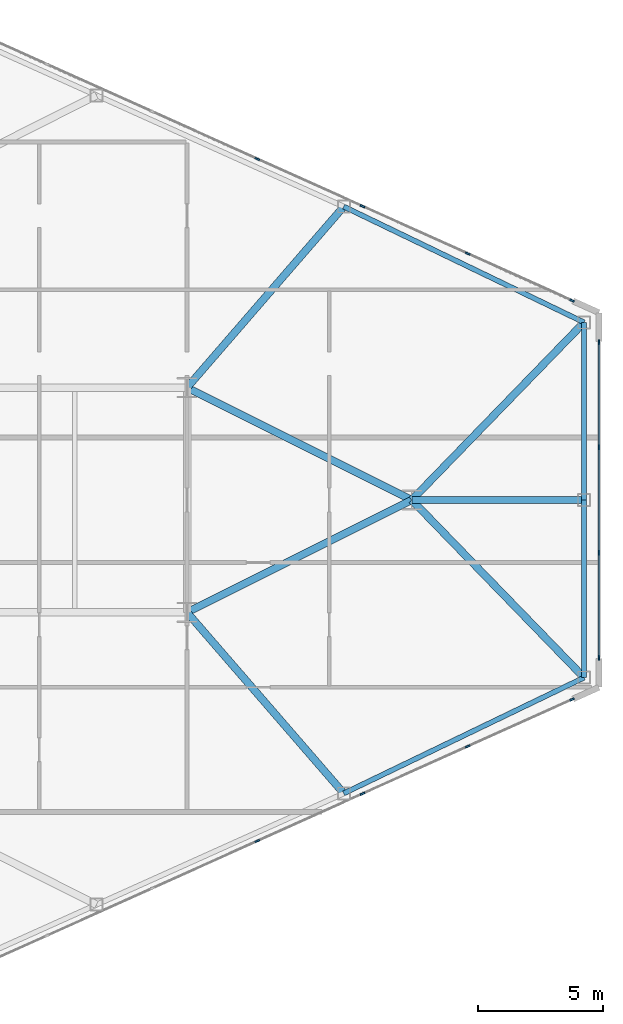
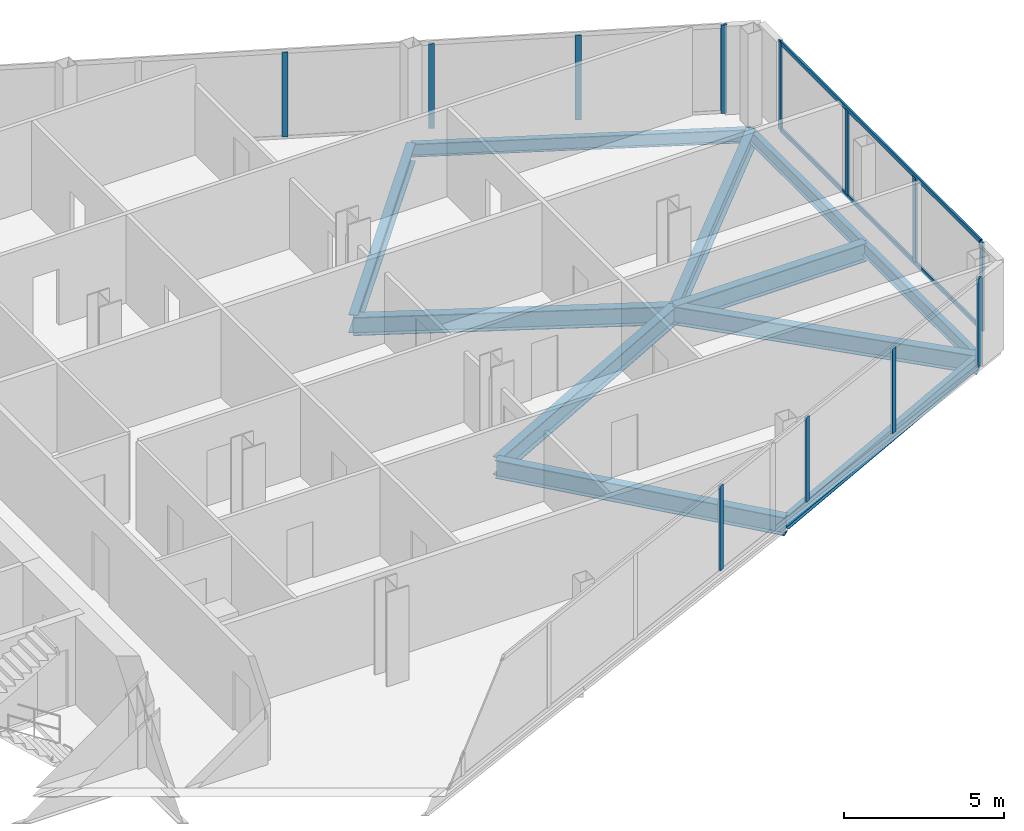
# One storey, part 16 of 27: 14 members, 11 beams, 3 elements without a shape of their own.
"""IFC4 building model written with IfcOpenShell, lengths in metres."""

from ifc_helpers import new_model, si_unit, direction, frame, origin, origin_2d, place, context, subcontext, project, spatial, rectangle, i_section, extrude, source, transform, mapped, material, layer, layer_set, material_profile, profile_set, type_object, type_shapes, element, aggregate, save


model = new_model("IFC4")

# Units and contexts
model_context = context("Model", 3, precision=1e-05, world=origin(), true_north=direction((0.0, 1.0)))
body_context = subcontext(model_context, "Body", "Model", "MODEL_VIEW")
ifc_project = project(units=[si_unit("LENGTHUNIT", "METRE"), si_unit("AREAUNIT", "SQUARE_METRE"), si_unit("VOLUMEUNIT", "CUBIC_METRE"), si_unit("PLANEANGLEUNIT", "RADIAN"), si_unit("MASSUNIT", "GRAM", prefix="KILO")], contexts=[model_context])

# Site, building, storey
site_placement = place(None, origin())
site = spatial("IfcSite", under=ifc_project, at=site_placement, CompositionType="ELEMENT")
building_placement = place(site_placement, origin())
building = spatial("IfcBuilding", under=site, at=building_placement, Name="Seokmaru Belvedere", CompositionType="ELEMENT")
storey_placement = place(building_placement, frame((0.0, 0.0, 92.39990234375)))
storey = spatial("IfcBuildingStorey", under=building, at=storey_placement, Name="L24", CompositionType="ELEMENT", Elevation=92.39990234375)

# Beams
ifc_material_1 = material(Name="Steel SM355 (355 MPa)", Category="steel")
ifc_material_profile_1 = material_profile(ifc_material_1, i_section(OverallWidth=0.300048828125, OverallDepth=0.699951171875, WebThickness=0.012939453125, FlangeThickness=0.02392578125, at=origin_2d()), Name="H-700x300x13x24")
ifc_profile_set_1 = profile_set([ifc_material_profile_1], Name="Steel SM355 (355 MPa)")
beam_type_1 = type_object("IfcBeamType", Name="Primary Floor Girder H-700", PredefinedType="BEAM", material=ifc_profile_set_1)
shared_shape_1 = source(origin(), body_context, "Body", "SweptSolid", [
    extrude(i_section(OverallWidth=0.300048828125, OverallDepth=0.699951171875, WebThickness=0.012939453125, FlangeThickness=0.02392578125, at=origin_2d()), origin(), (0.0, 0.0, 1.0), 10.062255859375),
])
for number, where, z_axis, x_axis, name in (
    (1, (54.5, -4.5, -0.56982421875), (0.894427191, 0.4472135955, 0.0), (-0.4472135955, 0.894427191, 0.0), "L24 E Apex Converging Girder 1"),
    (2, (54.5, 4.5, -0.56982421875), (0.894427191, -0.4472135955, 0.0), (0.4472135955, 0.894427191, 0.0), "L24 E Apex Converging Girder 2"),
):
    element("IfcBeam", number, at=place(storey_placement, frame(where, z_axis=z_axis, x_axis=x_axis)), inside=storey, type_object=beam_type_1, Name=name, PredefinedType="BEAM", context=body_context, shape_type="MappedRepresentation", body=[
        mapped(shared_shape_1, transform((0.0, 0.0, 0.0), scale=1.0)),
    ])
ifc_material_profile_2 = material_profile(ifc_material_1, i_section(OverallWidth=0.199951171875, OverallDepth=0.5, WebThickness=0.010009765625, FlangeThickness=0.01611328125, at=origin_2d()), Name="H-500x200x10x16")
ifc_profile_set_2 = profile_set([ifc_material_profile_2], Name="Steel SM355 (355 MPa)")
beam_type_2 = type_object("IfcBeamType", Name="Perimeter Spandrel Beam H-500", PredefinedType="SPANDREL", material=ifc_profile_set_2)
shared_shape_2 = source(origin(), body_context, "Body", "SweptSolid", [
    extrude(i_section(OverallWidth=0.199951171875, OverallDepth=0.5, WebThickness=0.010009765625, FlangeThickness=0.01611328125, at=origin_2d()), origin(), (0.0, 0.0, 1.0), 10.681396484375),
])
for number, where, z_axis, x_axis, name in (
    (3, (60.777587890625, -11.749267578125, -0.469970703125), (0.900846426616, 0.434137899352, 0.0), (-0.434137899352, 0.900846426616, 0.0), "L24 E Faceted Flank Spandrel S-4"),
    (4, (60.777587890625, 11.749267578125, -0.469970703125), (0.900846426616, -0.434137899352, 0.0), (0.434137899352, 0.900846426616, 0.0), "L24 E Faceted Flank Spandrel N-4"),
):
    element("IfcBeam", number, at=place(storey_placement, frame(where, z_axis=z_axis, x_axis=x_axis)), inside=storey, type_object=beam_type_2, Name=name, PredefinedType="SPANDREL", context=body_context, shape_type="MappedRepresentation", body=[
        mapped(shared_shape_2, transform((0.0, 0.0, 0.0), scale=1.0)),
    ])
shared_shape_3 = source(origin(), body_context, "Body", "SweptSolid", [
    extrude(i_section(OverallWidth=0.199951171875, OverallDepth=0.5, WebThickness=0.010009765625, FlangeThickness=0.01611328125, at=origin_2d()), origin(), (0.0, 0.0, 1.0), 7.112060546875),
])
type_shapes(beam_type_2, [shared_shape_2, shared_shape_3])
for number, where, z_axis, x_axis, name in (
    (5, (70.39990234375, -7.112060546875, -0.469970703125), (0.0, 1.0, 0.0), (-1.0, 0.0, 0.0), "L24 E Faceted Apex Spandrel S"),
    (6, (70.39990234375, 0.0, -0.469970703125), (0.0, 1.0, 0.0), (-1.0, 0.0, 0.0), "L24 E Faceted Apex Spandrel N"),
):
    element("IfcBeam", number, at=place(storey_placement, frame(where, z_axis=z_axis, x_axis=x_axis)), inside=storey, type_object=beam_type_2, Name=name, PredefinedType="SPANDREL", context=body_context, shape_type="MappedRepresentation", body=[
        mapped(shared_shape_3, transform((0.0, 0.0, 0.0), scale=1.0)),
    ])
shared_shape_4 = source(origin(), body_context, "Body", "SweptSolid", [
    extrude(i_section(OverallWidth=0.300048828125, OverallDepth=0.699951171875, WebThickness=0.012939453125, FlangeThickness=0.02392578125, at=origin_2d()), origin(), (0.0, 0.0, 1.0), 9.589599609375),
])
for number, where, z_axis, x_axis, name in (
    (7, (60.777587890625, -11.749267578125, -0.56982421875), (-0.654626140929, 0.755952786629, 0.0), (-0.755952786629, -0.654626140929, 0.0), "L24 E Flank Radial Floor Girder S-3"),
    (8, (60.777587890625, 11.749267578125, -0.56982421875), (-0.654626140929, -0.755952786629, 0.0), (0.755952786629, -0.654626140929, 0.0), "L24 E Flank Radial Floor Girder N-3"),
):
    element("IfcBeam", number, at=place(storey_placement, frame(where, z_axis=z_axis, x_axis=x_axis)), inside=storey, type_object=beam_type_1, Name=name, PredefinedType="BEAM", context=body_context, shape_type="MappedRepresentation", body=[
        mapped(shared_shape_4, transform((0.0, 0.0, 0.0), scale=1.0)),
    ])
shared_shape_5 = source(origin(), body_context, "Body", "SweptSolid", [
    extrude(i_section(OverallWidth=0.300048828125, OverallDepth=0.699951171875, WebThickness=0.012939453125, FlangeThickness=0.02392578125, at=origin_2d()), origin(), (0.0, 0.0, 1.0), 9.9091796875),
])
for number, where, z_axis, x_axis, name in (
    (9, (70.39990234375, -7.112060546875, -0.56982421875), (-0.6963205089, 0.717730972499, 0.0), (-0.717730972499, -0.6963205089, 0.0), "L24 E Apex Radial Floor Girder 1"),
    (10, (70.39990234375, 7.112060546875, -0.56982421875), (-0.6963205089, -0.717730972499, 0.0), (0.717730972499, -0.6963205089, 0.0), "L24 E Apex Radial Floor Girder 2"),
):
    element("IfcBeam", number, at=place(storey_placement, frame(where, z_axis=z_axis, x_axis=x_axis)), inside=storey, type_object=beam_type_1, Name=name, PredefinedType="BEAM", context=body_context, shape_type="MappedRepresentation", body=[
        mapped(shared_shape_5, transform((0.0, 0.0, 0.0), scale=1.0)),
    ])
shared_shape_6 = source(origin(), body_context, "Body", "SweptSolid", [
    extrude(i_section(OverallWidth=0.300048828125, OverallDepth=0.699951171875, WebThickness=0.012939453125, FlangeThickness=0.02392578125, at=origin_2d()), origin(), (0.0, 0.0, 1.0), 6.89990234375),
])
type_shapes(beam_type_1, [shared_shape_1, shared_shape_4, shared_shape_5, shared_shape_6])
beam_placement = place(storey_placement, frame((70.39990234375, 0.0, -0.56982421875), z_axis=(-1.0, 0.0, 0.0), x_axis=(0.0, -1.0, 0.0)))
element("IfcBeam", 11, at=beam_placement, inside=storey, type_object=beam_type_1, Name="L24 E Apex Center Radial Girder", PredefinedType="BEAM", context=body_context, shape_type="MappedRepresentation", body=[
    mapped(shared_shape_6, transform((0.0, 0.0, 0.0), scale=1.0)),
])

# Curtain wall, members
ifc_material_2 = material(Name="Bronze Triple Insulating Glass", Category="glass")
ifc_layer = layer(ifc_material_2, 0.195068359375)
ifc_layer_set = layer_set([ifc_layer], Name="Bronze Triple Insulating Glass")
curtain_wall_type = type_object("IfcCurtainWallType", Name="Lower-Mid Tapered Curtain Wall System CW-3", PredefinedType="NOTDEFINED", material=ifc_layer_set)
curtain_wall_1_placement = place(storey_placement, origin())
curtain_wall_1 = element("IfcCurtainWall", 12, at=curtain_wall_1_placement, inside=storey, type_object=curtain_wall_type, Name="L24 Curtain Wall EF1", PredefinedType="NOTDEFINED")
ifc_material_3 = material(Name="Anodised Bronze Aluminium", Category="aluminium")
ifc_material_profile_3 = material_profile(ifc_material_3, rectangle(XDim=0.070068359375, YDim=0.195068359375, at=origin_2d()), Name="CW-M-70x195")
ifc_profile_set_3 = profile_set([ifc_material_profile_3], Name="Anodised Bronze Aluminium")
member_type_1 = type_object("IfcMemberType", Name="Bronze Unitised Mullion 70x195", PredefinedType="MULLION", material=ifc_profile_set_3)
shared_shape_7 = source(origin(), body_context, "Body", "SweptSolid", [
    extrude(rectangle(XDim=0.070068359375, YDim=0.195068359375, at=origin_2d()), origin(), (0.0, 0.0, 1.0), 3.239990234375),
])
member_1_placement = place(storey_placement, frame((57.317138671875, -13.6572265625, 0.070068359375), z_axis=(0.0, 0.0, 1.0), x_axis=(-0.41036554765, 0.91192111353, 0.0)))
member_1 = element("IfcMember", 13, at=member_1_placement, type_object=member_type_1, Name="CW:L24:EF1 Mullion 7", PredefinedType="MULLION", context=body_context, shape_type="MappedRepresentation", body=[
    mapped(shared_shape_7, transform((0.0, 0.0, 0.0), scale=1.0)),
])
member_2_placement = place(storey_placement, frame((61.528564453125, -11.76220703125, 0.070068359375), z_axis=(0.0, 0.0, 1.0), x_axis=(-0.41036554765, 0.91192111353, 0.0)))
member_2 = element("IfcMember", 14, at=member_2_placement, type_object=member_type_1, Name="CW:L24:EF1 Mullion 8", PredefinedType="MULLION", context=body_context, shape_type="MappedRepresentation", body=[
    mapped(shared_shape_7, transform((0.0, 0.0, 0.0), scale=1.0)),
])
member_3_placement = place(storey_placement, frame((65.739990234375, -9.866943359375, 0.070068359375), z_axis=(0.0, 0.0, 1.0), x_axis=(-0.41036554765, 0.91192111353, 0.0)))
member_3 = element("IfcMember", 15, at=member_3_placement, type_object=member_type_1, Name="CW:L24:EF1 Mullion 9", PredefinedType="MULLION", context=body_context, shape_type="MappedRepresentation", body=[
    mapped(shared_shape_7, transform((0.0, 0.0, 0.0), scale=1.0)),
])

curtain_wall_2_placement = place(storey_placement, origin())
curtain_wall_2 = element("IfcCurtainWall", 16, at=curtain_wall_2_placement, inside=storey, type_object=curtain_wall_type, Name="L24 Curtain Wall EF2", PredefinedType="NOTDEFINED")
member_4_placement = place(storey_placement, frame((71.0, -2.11669921875, 0.070068359375), z_axis=(0.0, 0.0, 1.0), x_axis=(-1.0, 0.0, 0.0)))
member_4 = element("IfcMember", 17, at=member_4_placement, type_object=member_type_1, Name="CW:L24:EF2 Mullion 2", PredefinedType="MULLION", context=body_context, shape_type="MappedRepresentation", body=[
    mapped(shared_shape_7, transform((0.0, 0.0, 0.0), scale=1.0)),
])
member_5_placement = place(storey_placement, frame((71.0, 2.11669921875, 0.070068359375), z_axis=(0.0, 0.0, 1.0), x_axis=(-1.0, 0.0, 0.0)))
member_5 = element("IfcMember", 18, at=member_5_placement, type_object=member_type_1, Name="CW:L24:EF2 Mullion 3", PredefinedType="MULLION", context=body_context, shape_type="MappedRepresentation", body=[
    mapped(shared_shape_7, transform((0.0, 0.0, 0.0), scale=1.0)),
])

curtain_wall_3_placement = place(storey_placement, origin())
curtain_wall_3 = element("IfcCurtainWall", 19, at=curtain_wall_3_placement, inside=storey, type_object=curtain_wall_type, Name="L24 Curtain Wall EF3", PredefinedType="NOTDEFINED")
member_6_placement = place(storey_placement, frame((65.739990234375, 9.866943359375, 0.070068359375), z_axis=(0.0, 0.0, 1.0), x_axis=(-0.41036554765, -0.91192111353, 0.0)))
member_6 = element("IfcMember", 20, at=member_6_placement, type_object=member_type_1, Name="CW:L24:EF3 Mullion 2", PredefinedType="MULLION", context=body_context, shape_type="MappedRepresentation", body=[
    mapped(shared_shape_7, transform((0.0, 0.0, 0.0), scale=1.0)),
])
member_7_placement = place(storey_placement, frame((61.528564453125, 11.76220703125, 0.070068359375), z_axis=(0.0, 0.0, 1.0), x_axis=(-0.41036554765, -0.91192111353, 0.0)))
member_7 = element("IfcMember", 21, at=member_7_placement, type_object=member_type_1, Name="CW:L24:EF3 Mullion 3", PredefinedType="MULLION", context=body_context, shape_type="MappedRepresentation", body=[
    mapped(shared_shape_7, transform((0.0, 0.0, 0.0), scale=1.0)),
])
member_8_placement = place(storey_placement, frame((57.317138671875, 13.6572265625, 0.070068359375), z_axis=(0.0, 0.0, 1.0), x_axis=(-0.41036554765, -0.91192111353, 0.0)))
member_8 = element("IfcMember", 22, at=member_8_placement, type_object=member_type_1, Name="CW:L24:EF3 Mullion 4", PredefinedType="MULLION", context=body_context, shape_type="MappedRepresentation", body=[
    mapped(shared_shape_7, transform((0.0, 0.0, 0.0), scale=1.0)),
])

# Member
ifc_material_profile_4 = material_profile(ifc_material_3, rectangle(XDim=0.070068359375, YDim=0.1650390625, at=origin_2d()), Name="CW-T-70x165")
ifc_profile_set_4 = profile_set([ifc_material_profile_4], Name="Anodised Bronze Aluminium")
member_type_2 = type_object("IfcMemberType", Name="Bronze Unitised Transom 70x165", PredefinedType="USERDEFINED", material=ifc_profile_set_4)
shared_shape_8 = source(origin(), body_context, "Body", "SweptSolid", [
    extrude(rectangle(XDim=0.070068359375, YDim=0.1650390625, at=origin_2d()), origin(), (0.0, 0.0, 1.0), 12.56005859375),
])
type_shapes(member_type_2, [shared_shape_8])
member_9_placement = place(storey_placement, frame((71.0, -6.280029296875, 0.03515625), z_axis=(0.0, 1.0, 0.0), x_axis=(-1.0, 0.0, 0.0)))
member_9 = element("IfcMember", 23, at=member_9_placement, type_object=member_type_2, Name="CW:L24:EF2 Continuous Transom 1", ObjectType="TRANSOM", PredefinedType="USERDEFINED", context=body_context, shape_type="MappedRepresentation", body=[
    mapped(shared_shape_8, transform((0.0, 0.0, 0.0), scale=1.0)),
])

member_10_placement = place(storey_placement, frame((71.0, -6.280029296875, 3.34521484375), z_axis=(0.0, 1.0, 0.0), x_axis=(-1.0, 0.0, 0.0)))
member_10 = element("IfcMember", 24, at=member_10_placement, type_object=member_type_2, Name="CW:L24:EF2 Continuous Transom 2", ObjectType="TRANSOM", PredefinedType="USERDEFINED", context=body_context, shape_type="MappedRepresentation", body=[
    mapped(shared_shape_8, transform((0.0, 0.0, 0.0), scale=1.0)),
])

shared_shape_9 = source(origin(), body_context, "Body", "SweptSolid", [
    extrude(rectangle(XDim=0.070068359375, YDim=0.195068359375, at=origin_2d()), origin(), (0.0, 0.0, 1.0), 3.380126953125),
])
type_shapes(member_type_1, [shared_shape_7, shared_shape_9])
member_11_placement = place(storey_placement, frame((69.91943359375, -7.986328125, 0.0), z_axis=(0.0, 0.0, 1.0), x_axis=(-0.41036554765, 0.91192111353, 0.0)))
member_11 = element("IfcMember", 25, at=member_11_placement, type_object=member_type_1, Name="CW:L24:EF1 Mullion 10", PredefinedType="MULLION", context=body_context, shape_type="MappedRepresentation", body=[
    mapped(shared_shape_9, transform((0.0, 0.0, 0.0), scale=1.0)),
])

aggregate(curtain_wall_1, [member_1, member_2, member_3, member_11])

member_12_placement = place(storey_placement, frame((71.0, -6.31494140625, 0.0), z_axis=(0.0, 0.0, 1.0), x_axis=(-1.0, 0.0, 0.0)))
member_12 = element("IfcMember", 26, at=member_12_placement, type_object=member_type_1, Name="CW:L24:EF2 Mullion 1", PredefinedType="MULLION", context=body_context, shape_type="MappedRepresentation", body=[
    mapped(shared_shape_9, transform((0.0, 0.0, 0.0), scale=1.0)),
])

member_13_placement = place(storey_placement, frame((71.0, 6.31494140625, 0.0), z_axis=(0.0, 0.0, 1.0), x_axis=(-1.0, 0.0, 0.0)))
member_13 = element("IfcMember", 27, at=member_13_placement, type_object=member_type_1, Name="CW:L24:EF2 Mullion 4", PredefinedType="MULLION", context=body_context, shape_type="MappedRepresentation", body=[
    mapped(shared_shape_9, transform((0.0, 0.0, 0.0), scale=1.0)),
])

aggregate(curtain_wall_2, [member_12, member_4, member_5, member_13, member_9, member_10])

member_14_placement = place(storey_placement, frame((69.91943359375, 7.986328125, 0.0), z_axis=(0.0, 0.0, 1.0), x_axis=(-0.41036554765, -0.91192111353, 0.0)))
member_14 = element("IfcMember", 28, at=member_14_placement, type_object=member_type_1, Name="CW:L24:EF3 Mullion 1", PredefinedType="MULLION", context=body_context, shape_type="MappedRepresentation", body=[
    mapped(shared_shape_9, transform((0.0, 0.0, 0.0), scale=1.0)),
])

aggregate(curtain_wall_3, [member_14, member_6, member_7, member_8])

save(model, "model.ifc")
